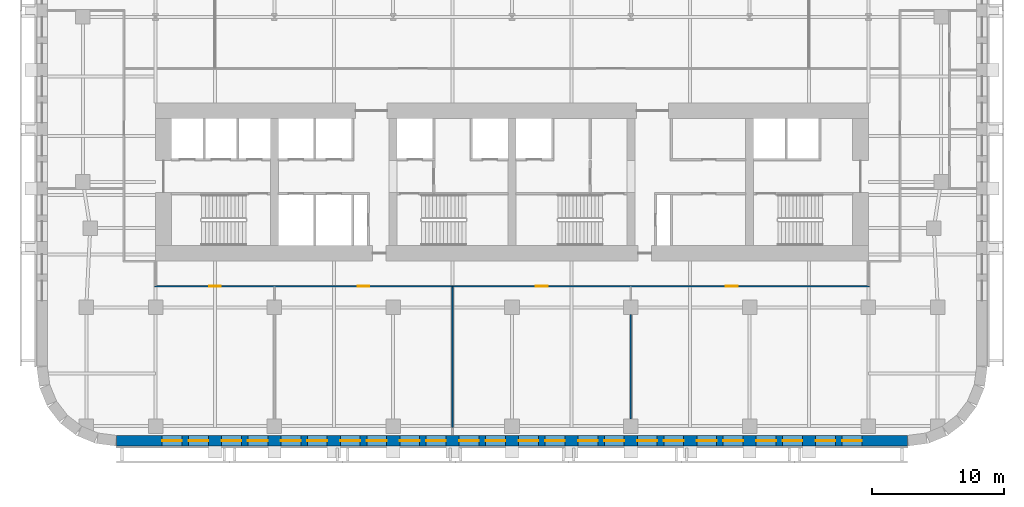
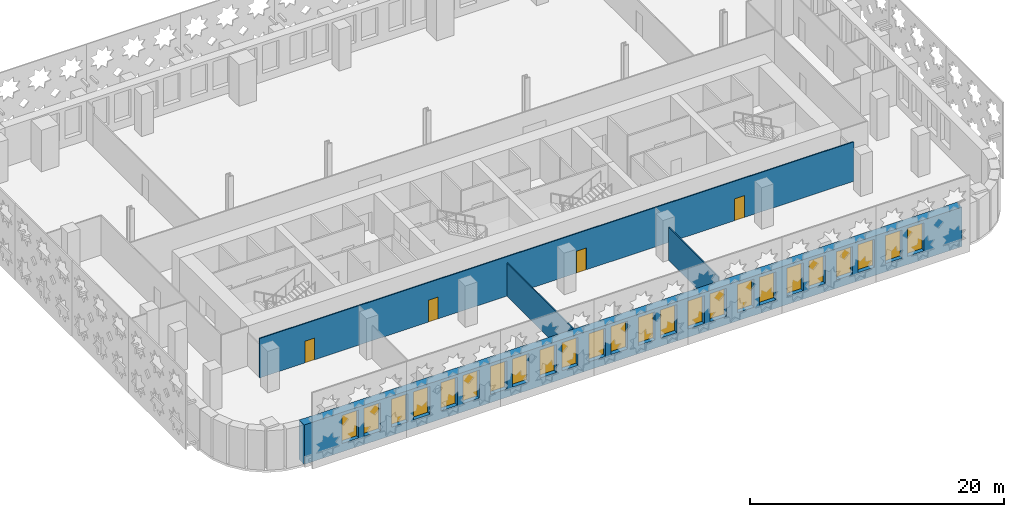
# One storey, part 4 of 13: 24 windows, 4 doors, 4 walls, 28 openings.
"""IFC4 building model written with IfcOpenShell, lengths in metres."""

from ifc_helpers import new_model, si_unit, direction, frame, frame_2d, origin, place, context, subcontext, project, spatial, rectangle, extrude, material, layer, layer_set, type_object, element, fill, save


model = new_model("IFC4")

# Units and contexts
model_context = context("Model", 3, precision=1e-05, world=origin(), true_north=direction((0.0, 1.0)))
body_context = subcontext(model_context, "Body", "Model", "MODEL_VIEW")
ifc_project = project(units=[si_unit("LENGTHUNIT", "METRE"), si_unit("AREAUNIT", "SQUARE_METRE"), si_unit("VOLUMEUNIT", "CUBIC_METRE"), si_unit("PLANEANGLEUNIT", "RADIAN"), si_unit("MASSUNIT", "GRAM", prefix="KILO")], contexts=[model_context])

# Site, building, storey
site_placement = place(None, origin())
site = spatial("IfcSite", under=ifc_project, at=site_placement, CompositionType="ELEMENT")
building_placement = place(site_placement, origin())
building = spatial("IfcBuilding", under=site, at=building_placement, Name="Zellij Exchange Tower", CompositionType="ELEMENT")
storey_placement = place(building_placement, frame((0.0, 0.0, 60.5)))
storey = spatial("IfcBuildingStorey", under=building, at=storey_placement, Name="L11", CompositionType="ELEMENT", Elevation=60.5)

# Wall, openings, windows
ifc_material_1 = material(Name="Precast concrete C40/50", Category="concrete")
ifc_layer_1 = layer(ifc_material_1, 0.800048828125)
ifc_layer_set_1 = layer_set([ifc_layer_1], Name="Precast concrete C40/50")
wall_type_1 = type_object("IfcWallType", Name="ENV-EW1 Precast stone-piered wall 800", PredefinedType="SOLIDWALL", material=ifc_layer_set_1)
wall_1_placement = place(storey_placement, frame((-29.947509765625, -27.60009765625, 0.0), z_axis=(0.0, 0.0, 1.0), x_axis=(1.0, 0.0, 0.0)))
wall_1 = element("IfcWall", 1, at=wall_1_placement, inside=storey, type_object=wall_type_1, Name="fac.L11.00", PredefinedType="SOLIDWALL", context=body_context, shape_type="SweptSolid", body=[
    extrude(rectangle(XDim=59.89501953125, YDim=0.800048828125, at=frame_2d((29.947509765625, 0.0))), origin(), (0.0, 0.0, 1.0), 3.800048828125),
])
opening_1_placement = place(wall_1_placement, frame((3.447509765625, 0.0, 0.800048828125)))
opening_1 = element("IfcOpeningElement", 2, at=opening_1_placement, cuts=wall_1, Name="Opening FZ1.01", PredefinedType="OPENING", context=body_context, shape_type="SweptSolid", body=[
    extrude(rectangle(XDim=1.5, YDim=2.699951171875, at=frame_2d((0.75, 1.35009765625))), frame((0.0, 0.412109375, 0.0), z_axis=(0.0, -1.0, 0.0), x_axis=(1.0, 0.0, 0.0)), (0.0, 0.0, 1.0), 0.823974609375),
])
opening_2_placement = place(wall_1_placement, frame((5.447509765625, 0.0, 0.800048828125)))
opening_2 = element("IfcOpeningElement", 3, at=opening_2_placement, cuts=wall_1, Name="Opening FZ1.02", PredefinedType="OPENING", context=body_context, shape_type="SweptSolid", body=[
    extrude(rectangle(XDim=1.5, YDim=2.699951171875, at=frame_2d((0.75, 1.35009765625))), frame((0.0, 0.412109375, 0.0), z_axis=(0.0, -1.0, 0.0), x_axis=(1.0, 0.0, 0.0)), (0.0, 0.0, 1.0), 0.823974609375),
])
opening_3_placement = place(wall_1_placement, frame((7.947509765625, 0.0, 0.800048828125)))
opening_3 = element("IfcOpeningElement", 4, at=opening_3_placement, cuts=wall_1, Name="Opening FZ1.03", PredefinedType="OPENING", context=body_context, shape_type="SweptSolid", body=[
    extrude(rectangle(XDim=1.5, YDim=2.699951171875, at=frame_2d((0.75, 1.35009765625))), frame((0.0, 0.412109375, 0.0), z_axis=(0.0, -1.0, 0.0), x_axis=(1.0, 0.0, 0.0)), (0.0, 0.0, 1.0), 0.823974609375),
])
opening_4_placement = place(wall_1_placement, frame((9.947509765625, 0.0, 0.800048828125)))
opening_4 = element("IfcOpeningElement", 5, at=opening_4_placement, cuts=wall_1, Name="Opening FZ1.04", PredefinedType="OPENING", context=body_context, shape_type="SweptSolid", body=[
    extrude(rectangle(XDim=1.5, YDim=2.699951171875, at=frame_2d((0.75, 1.35009765625))), frame((0.0, 0.412109375, 0.0), z_axis=(0.0, -1.0, 0.0), x_axis=(1.0, 0.0, 0.0)), (0.0, 0.0, 1.0), 0.823974609375),
])
opening_5_placement = place(wall_1_placement, frame((12.447509765625, 0.0, 0.800048828125)))
opening_5 = element("IfcOpeningElement", 6, at=opening_5_placement, cuts=wall_1, Name="Opening FZ1.05", PredefinedType="OPENING", context=body_context, shape_type="SweptSolid", body=[
    extrude(rectangle(XDim=1.5, YDim=2.699951171875, at=frame_2d((0.75, 1.35009765625))), frame((0.0, 0.412109375, 0.0), z_axis=(0.0, -1.0, 0.0), x_axis=(1.0, 0.0, 0.0)), (0.0, 0.0, 1.0), 0.823974609375),
])
opening_6_placement = place(wall_1_placement, frame((14.447509765625, 0.0, 0.800048828125)))
opening_6 = element("IfcOpeningElement", 7, at=opening_6_placement, cuts=wall_1, Name="Opening FZ1.06", PredefinedType="OPENING", context=body_context, shape_type="SweptSolid", body=[
    extrude(rectangle(XDim=1.5, YDim=2.699951171875, at=frame_2d((0.75, 1.35009765625))), frame((0.0, 0.412109375, 0.0), z_axis=(0.0, -1.0, 0.0), x_axis=(1.0, 0.0, 0.0)), (0.0, 0.0, 1.0), 0.823974609375),
])
opening_7_placement = place(wall_1_placement, frame((16.947509765625, 0.0, 0.800048828125)))
opening_7 = element("IfcOpeningElement", 8, at=opening_7_placement, cuts=wall_1, Name="Opening FZ1.07", PredefinedType="OPENING", context=body_context, shape_type="SweptSolid", body=[
    extrude(rectangle(XDim=1.5, YDim=2.699951171875, at=frame_2d((0.75, 1.35009765625))), frame((0.0, 0.412109375, 0.0), z_axis=(0.0, -1.0, 0.0), x_axis=(1.0, 0.0, 0.0)), (0.0, 0.0, 1.0), 0.823974609375),
])
opening_8_placement = place(wall_1_placement, frame((18.947509765625, 0.0, 0.800048828125)))
opening_8 = element("IfcOpeningElement", 9, at=opening_8_placement, cuts=wall_1, Name="Opening FZ1.08", PredefinedType="OPENING", context=body_context, shape_type="SweptSolid", body=[
    extrude(rectangle(XDim=1.5, YDim=2.699951171875, at=frame_2d((0.75, 1.35009765625))), frame((0.0, 0.412109375, 0.0), z_axis=(0.0, -1.0, 0.0), x_axis=(1.0, 0.0, 0.0)), (0.0, 0.0, 1.0), 0.823974609375),
])
opening_9_placement = place(wall_1_placement, frame((21.447509765625, 0.0, 0.800048828125)))
opening_9 = element("IfcOpeningElement", 10, at=opening_9_placement, cuts=wall_1, Name="Opening FZ1.09", PredefinedType="OPENING", context=body_context, shape_type="SweptSolid", body=[
    extrude(rectangle(XDim=1.5, YDim=2.699951171875, at=frame_2d((0.75, 1.35009765625))), frame((0.0, 0.412109375, 0.0), z_axis=(0.0, -1.0, 0.0), x_axis=(1.0, 0.0, 0.0)), (0.0, 0.0, 1.0), 0.823974609375),
])
opening_10_placement = place(wall_1_placement, frame((23.447509765625, 0.0, 0.800048828125)))
opening_10 = element("IfcOpeningElement", 11, at=opening_10_placement, cuts=wall_1, Name="Opening FZ1.10", PredefinedType="OPENING", context=body_context, shape_type="SweptSolid", body=[
    extrude(rectangle(XDim=1.5, YDim=2.699951171875, at=frame_2d((0.75, 1.35009765625))), frame((0.0, 0.412109375, 0.0), z_axis=(0.0, -1.0, 0.0), x_axis=(1.0, 0.0, 0.0)), (0.0, 0.0, 1.0), 0.823974609375),
])
opening_11_placement = place(wall_1_placement, frame((25.947509765625, 0.0, 0.800048828125)))
opening_11 = element("IfcOpeningElement", 12, at=opening_11_placement, cuts=wall_1, Name="Opening FZ1.11", PredefinedType="OPENING", context=body_context, shape_type="SweptSolid", body=[
    extrude(rectangle(XDim=1.5, YDim=2.699951171875, at=frame_2d((0.75, 1.35009765625))), frame((0.0, 0.412109375, 0.0), z_axis=(0.0, -1.0, 0.0), x_axis=(1.0, 0.0, 0.0)), (0.0, 0.0, 1.0), 0.823974609375),
])
opening_12_placement = place(wall_1_placement, frame((27.947509765625, 0.0, 0.800048828125)))
opening_12 = element("IfcOpeningElement", 13, at=opening_12_placement, cuts=wall_1, Name="Opening FZ1.12", PredefinedType="OPENING", context=body_context, shape_type="SweptSolid", body=[
    extrude(rectangle(XDim=1.5, YDim=2.699951171875, at=frame_2d((0.75, 1.35009765625))), frame((0.0, 0.412109375, 0.0), z_axis=(0.0, -1.0, 0.0), x_axis=(1.0, 0.0, 0.0)), (0.0, 0.0, 1.0), 0.823974609375),
])
opening_13_placement = place(wall_1_placement, frame((30.447509765625, 0.0, 0.800048828125)))
opening_13 = element("IfcOpeningElement", 14, at=opening_13_placement, cuts=wall_1, Name="Opening FZ1.13", PredefinedType="OPENING", context=body_context, shape_type="SweptSolid", body=[
    extrude(rectangle(XDim=1.5, YDim=2.699951171875, at=frame_2d((0.75, 1.35009765625))), frame((0.0, 0.412109375, 0.0), z_axis=(0.0, -1.0, 0.0), x_axis=(1.0, 0.0, 0.0)), (0.0, 0.0, 1.0), 0.823974609375),
])
opening_14_placement = place(wall_1_placement, frame((32.447509765625, 0.0, 0.800048828125)))
opening_14 = element("IfcOpeningElement", 15, at=opening_14_placement, cuts=wall_1, Name="Opening FZ1.14", PredefinedType="OPENING", context=body_context, shape_type="SweptSolid", body=[
    extrude(rectangle(XDim=1.5, YDim=2.699951171875, at=frame_2d((0.75, 1.35009765625))), frame((0.0, 0.412109375, 0.0), z_axis=(0.0, -1.0, 0.0), x_axis=(1.0, 0.0, 0.0)), (0.0, 0.0, 1.0), 0.823974609375),
])
opening_15_placement = place(wall_1_placement, frame((34.947509765625, 0.0, 0.800048828125)))
opening_15 = element("IfcOpeningElement", 16, at=opening_15_placement, cuts=wall_1, Name="Opening FZ1.15", PredefinedType="OPENING", context=body_context, shape_type="SweptSolid", body=[
    extrude(rectangle(XDim=1.5, YDim=2.699951171875, at=frame_2d((0.75, 1.35009765625))), frame((0.0, 0.412109375, 0.0), z_axis=(0.0, -1.0, 0.0), x_axis=(1.0, 0.0, 0.0)), (0.0, 0.0, 1.0), 0.823974609375),
])
opening_16_placement = place(wall_1_placement, frame((36.947509765625, 0.0, 0.800048828125)))
opening_16 = element("IfcOpeningElement", 17, at=opening_16_placement, cuts=wall_1, Name="Opening FZ1.16", PredefinedType="OPENING", context=body_context, shape_type="SweptSolid", body=[
    extrude(rectangle(XDim=1.5, YDim=2.699951171875, at=frame_2d((0.75, 1.35009765625))), frame((0.0, 0.412109375, 0.0), z_axis=(0.0, -1.0, 0.0), x_axis=(1.0, 0.0, 0.0)), (0.0, 0.0, 1.0), 0.823974609375),
])
opening_17_placement = place(wall_1_placement, frame((39.447509765625, 0.0, 0.800048828125)))
opening_17 = element("IfcOpeningElement", 18, at=opening_17_placement, cuts=wall_1, Name="Opening FZ1.17", PredefinedType="OPENING", context=body_context, shape_type="SweptSolid", body=[
    extrude(rectangle(XDim=1.5, YDim=2.699951171875, at=frame_2d((0.75, 1.35009765625))), frame((0.0, 0.412109375, 0.0), z_axis=(0.0, -1.0, 0.0), x_axis=(1.0, 0.0, 0.0)), (0.0, 0.0, 1.0), 0.823974609375),
])
opening_18_placement = place(wall_1_placement, frame((41.447509765625, 0.0, 0.800048828125)))
opening_18 = element("IfcOpeningElement", 19, at=opening_18_placement, cuts=wall_1, Name="Opening FZ1.18", PredefinedType="OPENING", context=body_context, shape_type="SweptSolid", body=[
    extrude(rectangle(XDim=1.5, YDim=2.699951171875, at=frame_2d((0.75, 1.35009765625))), frame((0.0, 0.412109375, 0.0), z_axis=(0.0, -1.0, 0.0), x_axis=(1.0, 0.0, 0.0)), (0.0, 0.0, 1.0), 0.823974609375),
])
opening_19_placement = place(wall_1_placement, frame((43.947509765625, 0.0, 0.800048828125)))
opening_19 = element("IfcOpeningElement", 20, at=opening_19_placement, cuts=wall_1, Name="Opening FZ1.19", PredefinedType="OPENING", context=body_context, shape_type="SweptSolid", body=[
    extrude(rectangle(XDim=1.5, YDim=2.699951171875, at=frame_2d((0.75, 1.35009765625))), frame((0.0, 0.412109375, 0.0), z_axis=(0.0, -1.0, 0.0), x_axis=(1.0, 0.0, 0.0)), (0.0, 0.0, 1.0), 0.823974609375),
])
opening_20_placement = place(wall_1_placement, frame((45.947509765625, 0.0, 0.800048828125)))
opening_20 = element("IfcOpeningElement", 21, at=opening_20_placement, cuts=wall_1, Name="Opening FZ1.20", PredefinedType="OPENING", context=body_context, shape_type="SweptSolid", body=[
    extrude(rectangle(XDim=1.5, YDim=2.699951171875, at=frame_2d((0.75, 1.35009765625))), frame((0.0, 0.412109375, 0.0), z_axis=(0.0, -1.0, 0.0), x_axis=(1.0, 0.0, 0.0)), (0.0, 0.0, 1.0), 0.823974609375),
])
opening_21_placement = place(wall_1_placement, frame((48.447509765625, 0.0, 0.800048828125)))
opening_21 = element("IfcOpeningElement", 22, at=opening_21_placement, cuts=wall_1, Name="Opening FZ1.21", PredefinedType="OPENING", context=body_context, shape_type="SweptSolid", body=[
    extrude(rectangle(XDim=1.5, YDim=2.699951171875, at=frame_2d((0.75, 1.35009765625))), frame((0.0, 0.412109375, 0.0), z_axis=(0.0, -1.0, 0.0), x_axis=(1.0, 0.0, 0.0)), (0.0, 0.0, 1.0), 0.823974609375),
])
opening_22_placement = place(wall_1_placement, frame((50.447509765625, 0.0, 0.800048828125)))
opening_22 = element("IfcOpeningElement", 23, at=opening_22_placement, cuts=wall_1, Name="Opening FZ1.22", PredefinedType="OPENING", context=body_context, shape_type="SweptSolid", body=[
    extrude(rectangle(XDim=1.5, YDim=2.699951171875, at=frame_2d((0.75, 1.35009765625))), frame((0.0, 0.412109375, 0.0), z_axis=(0.0, -1.0, 0.0), x_axis=(1.0, 0.0, 0.0)), (0.0, 0.0, 1.0), 0.823974609375),
])
opening_23_placement = place(wall_1_placement, frame((52.947509765625, 0.0, 0.800048828125)))
opening_23 = element("IfcOpeningElement", 24, at=opening_23_placement, cuts=wall_1, Name="Opening FZ1.23", PredefinedType="OPENING", context=body_context, shape_type="SweptSolid", body=[
    extrude(rectangle(XDim=1.5, YDim=2.699951171875, at=frame_2d((0.75, 1.35009765625))), frame((0.0, 0.412109375, 0.0), z_axis=(0.0, -1.0, 0.0), x_axis=(1.0, 0.0, 0.0)), (0.0, 0.0, 1.0), 0.823974609375),
])
opening_24_placement = place(wall_1_placement, frame((54.947509765625, 0.0, 0.800048828125)))
opening_24 = element("IfcOpeningElement", 25, at=opening_24_placement, cuts=wall_1, Name="Opening FZ1.24", PredefinedType="OPENING", context=body_context, shape_type="SweptSolid", body=[
    extrude(rectangle(XDim=1.5, YDim=2.699951171875, at=frame_2d((0.75, 1.35009765625))), frame((0.0, 0.412109375, 0.0), z_axis=(0.0, -1.0, 0.0), x_axis=(1.0, 0.0, 0.0)), (0.0, 0.0, 1.0), 0.823974609375),
])
ifc_material_2 = material(Name="Aluminium frame with insulating glass", Category="aluminium")
window_type = type_object("IfcWindowType", Name="ENV-W6 Window 1500x2700", PartitioningType="SINGLE_PANEL", PredefinedType="WINDOW", material=ifc_material_2)
window_1_placement = place(opening_1_placement, origin())
window_1 = element("IfcWindow", 26, at=window_1_placement, inside=storey, type_object=window_type, Name="Window FZ1.01", OverallHeight=2.699951171875, OverallWidth=1.5, PartitioningType="SINGLE_PANEL", PredefinedType="WINDOW", context=body_context, shape_type="SweptSolid", body=[
    extrude(rectangle(XDim=1.5, YDim=2.699951171875, at=frame_2d((0.75, 1.35009765625))), frame((0.0, 0.030029296875, 0.0), z_axis=(0.0, -1.0, 0.0), x_axis=(1.0, 0.0, 0.0)), (0.0, 0.0, 1.0), 0.06005859375),
])
fill(opening_1, window_1)
window_2_placement = place(opening_2_placement, origin())
window_2 = element("IfcWindow", 27, at=window_2_placement, inside=storey, type_object=window_type, Name="Window FZ1.02", OverallHeight=2.699951171875, OverallWidth=1.5, PartitioningType="SINGLE_PANEL", PredefinedType="WINDOW", context=body_context, shape_type="SweptSolid", body=[
    extrude(rectangle(XDim=1.5, YDim=2.699951171875, at=frame_2d((0.75, 1.35009765625))), frame((0.0, 0.030029296875, 0.0), z_axis=(0.0, -1.0, 0.0), x_axis=(1.0, 0.0, 0.0)), (0.0, 0.0, 1.0), 0.06005859375),
])
fill(opening_2, window_2)
window_3_placement = place(opening_3_placement, origin())
window_3 = element("IfcWindow", 28, at=window_3_placement, inside=storey, type_object=window_type, Name="Window FZ1.03", OverallHeight=2.699951171875, OverallWidth=1.5, PartitioningType="SINGLE_PANEL", PredefinedType="WINDOW", context=body_context, shape_type="SweptSolid", body=[
    extrude(rectangle(XDim=1.5, YDim=2.699951171875, at=frame_2d((0.75, 1.35009765625))), frame((0.0, 0.030029296875, 0.0), z_axis=(0.0, -1.0, 0.0), x_axis=(1.0, 0.0, 0.0)), (0.0, 0.0, 1.0), 0.06005859375),
])
fill(opening_3, window_3)
window_4_placement = place(opening_4_placement, origin())
window_4 = element("IfcWindow", 29, at=window_4_placement, inside=storey, type_object=window_type, Name="Window FZ1.04", OverallHeight=2.699951171875, OverallWidth=1.5, PartitioningType="SINGLE_PANEL", PredefinedType="WINDOW", context=body_context, shape_type="SweptSolid", body=[
    extrude(rectangle(XDim=1.5, YDim=2.699951171875, at=frame_2d((0.75, 1.35009765625))), frame((0.0, 0.030029296875, 0.0), z_axis=(0.0, -1.0, 0.0), x_axis=(1.0, 0.0, 0.0)), (0.0, 0.0, 1.0), 0.06005859375),
])
fill(opening_4, window_4)
window_5_placement = place(opening_5_placement, origin())
window_5 = element("IfcWindow", 30, at=window_5_placement, inside=storey, type_object=window_type, Name="Window FZ1.05", OverallHeight=2.699951171875, OverallWidth=1.5, PartitioningType="SINGLE_PANEL", PredefinedType="WINDOW", context=body_context, shape_type="SweptSolid", body=[
    extrude(rectangle(XDim=1.5, YDim=2.699951171875, at=frame_2d((0.75, 1.35009765625))), frame((0.0, 0.030029296875, 0.0), z_axis=(0.0, -1.0, 0.0), x_axis=(1.0, 0.0, 0.0)), (0.0, 0.0, 1.0), 0.06005859375),
])
fill(opening_5, window_5)
window_6_placement = place(opening_6_placement, origin())
window_6 = element("IfcWindow", 31, at=window_6_placement, inside=storey, type_object=window_type, Name="Window FZ1.06", OverallHeight=2.699951171875, OverallWidth=1.5, PartitioningType="SINGLE_PANEL", PredefinedType="WINDOW", context=body_context, shape_type="SweptSolid", body=[
    extrude(rectangle(XDim=1.5, YDim=2.699951171875, at=frame_2d((0.75, 1.35009765625))), frame((0.0, 0.030029296875, 0.0), z_axis=(0.0, -1.0, 0.0), x_axis=(1.0, 0.0, 0.0)), (0.0, 0.0, 1.0), 0.06005859375),
])
fill(opening_6, window_6)
window_7_placement = place(opening_7_placement, origin())
window_7 = element("IfcWindow", 32, at=window_7_placement, inside=storey, type_object=window_type, Name="Window FZ1.07", OverallHeight=2.699951171875, OverallWidth=1.5, PartitioningType="SINGLE_PANEL", PredefinedType="WINDOW", context=body_context, shape_type="SweptSolid", body=[
    extrude(rectangle(XDim=1.5, YDim=2.699951171875, at=frame_2d((0.75, 1.35009765625))), frame((0.0, 0.030029296875, 0.0), z_axis=(0.0, -1.0, 0.0), x_axis=(1.0, 0.0, 0.0)), (0.0, 0.0, 1.0), 0.06005859375),
])
fill(opening_7, window_7)
window_8_placement = place(opening_8_placement, origin())
window_8 = element("IfcWindow", 33, at=window_8_placement, inside=storey, type_object=window_type, Name="Window FZ1.08", OverallHeight=2.699951171875, OverallWidth=1.5, PartitioningType="SINGLE_PANEL", PredefinedType="WINDOW", context=body_context, shape_type="SweptSolid", body=[
    extrude(rectangle(XDim=1.5, YDim=2.699951171875, at=frame_2d((0.75, 1.35009765625))), frame((0.0, 0.030029296875, 0.0), z_axis=(0.0, -1.0, 0.0), x_axis=(1.0, 0.0, 0.0)), (0.0, 0.0, 1.0), 0.06005859375),
])
fill(opening_8, window_8)
window_9_placement = place(opening_9_placement, origin())
window_9 = element("IfcWindow", 34, at=window_9_placement, inside=storey, type_object=window_type, Name="Window FZ1.09", OverallHeight=2.699951171875, OverallWidth=1.5, PartitioningType="SINGLE_PANEL", PredefinedType="WINDOW", context=body_context, shape_type="SweptSolid", body=[
    extrude(rectangle(XDim=1.5, YDim=2.699951171875, at=frame_2d((0.75, 1.35009765625))), frame((0.0, 0.030029296875, 0.0), z_axis=(0.0, -1.0, 0.0), x_axis=(1.0, 0.0, 0.0)), (0.0, 0.0, 1.0), 0.06005859375),
])
fill(opening_9, window_9)
window_10_placement = place(opening_10_placement, origin())
window_10 = element("IfcWindow", 35, at=window_10_placement, inside=storey, type_object=window_type, Name="Window FZ1.10", OverallHeight=2.699951171875, OverallWidth=1.5, PartitioningType="SINGLE_PANEL", PredefinedType="WINDOW", context=body_context, shape_type="SweptSolid", body=[
    extrude(rectangle(XDim=1.5, YDim=2.699951171875, at=frame_2d((0.75, 1.35009765625))), frame((0.0, 0.030029296875, 0.0), z_axis=(0.0, -1.0, 0.0), x_axis=(1.0, 0.0, 0.0)), (0.0, 0.0, 1.0), 0.06005859375),
])
fill(opening_10, window_10)
window_11_placement = place(opening_11_placement, origin())
window_11 = element("IfcWindow", 36, at=window_11_placement, inside=storey, type_object=window_type, Name="Window FZ1.11", OverallHeight=2.699951171875, OverallWidth=1.5, PartitioningType="SINGLE_PANEL", PredefinedType="WINDOW", context=body_context, shape_type="SweptSolid", body=[
    extrude(rectangle(XDim=1.5, YDim=2.699951171875, at=frame_2d((0.75, 1.35009765625))), frame((0.0, 0.030029296875, 0.0), z_axis=(0.0, -1.0, 0.0), x_axis=(1.0, 0.0, 0.0)), (0.0, 0.0, 1.0), 0.06005859375),
])
fill(opening_11, window_11)
window_12_placement = place(opening_12_placement, origin())
window_12 = element("IfcWindow", 37, at=window_12_placement, inside=storey, type_object=window_type, Name="Window FZ1.12", OverallHeight=2.699951171875, OverallWidth=1.5, PartitioningType="SINGLE_PANEL", PredefinedType="WINDOW", context=body_context, shape_type="SweptSolid", body=[
    extrude(rectangle(XDim=1.5, YDim=2.699951171875, at=frame_2d((0.75, 1.35009765625))), frame((0.0, 0.030029296875, 0.0), z_axis=(0.0, -1.0, 0.0), x_axis=(1.0, 0.0, 0.0)), (0.0, 0.0, 1.0), 0.06005859375),
])
fill(opening_12, window_12)
window_13_placement = place(opening_13_placement, origin())
window_13 = element("IfcWindow", 38, at=window_13_placement, inside=storey, type_object=window_type, Name="Window FZ1.13", OverallHeight=2.699951171875, OverallWidth=1.5, PartitioningType="SINGLE_PANEL", PredefinedType="WINDOW", context=body_context, shape_type="SweptSolid", body=[
    extrude(rectangle(XDim=1.5, YDim=2.699951171875, at=frame_2d((0.75, 1.35009765625))), frame((0.0, 0.030029296875, 0.0), z_axis=(0.0, -1.0, 0.0), x_axis=(1.0, 0.0, 0.0)), (0.0, 0.0, 1.0), 0.06005859375),
])
fill(opening_13, window_13)
window_14_placement = place(opening_14_placement, origin())
window_14 = element("IfcWindow", 39, at=window_14_placement, inside=storey, type_object=window_type, Name="Window FZ1.14", OverallHeight=2.699951171875, OverallWidth=1.5, PartitioningType="SINGLE_PANEL", PredefinedType="WINDOW", context=body_context, shape_type="SweptSolid", body=[
    extrude(rectangle(XDim=1.5, YDim=2.699951171875, at=frame_2d((0.75, 1.35009765625))), frame((0.0, 0.030029296875, 0.0), z_axis=(0.0, -1.0, 0.0), x_axis=(1.0, 0.0, 0.0)), (0.0, 0.0, 1.0), 0.06005859375),
])
fill(opening_14, window_14)
window_15_placement = place(opening_15_placement, origin())
window_15 = element("IfcWindow", 40, at=window_15_placement, inside=storey, type_object=window_type, Name="Window FZ1.15", OverallHeight=2.699951171875, OverallWidth=1.5, PartitioningType="SINGLE_PANEL", PredefinedType="WINDOW", context=body_context, shape_type="SweptSolid", body=[
    extrude(rectangle(XDim=1.5, YDim=2.699951171875, at=frame_2d((0.75, 1.35009765625))), frame((0.0, 0.030029296875, 0.0), z_axis=(0.0, -1.0, 0.0), x_axis=(1.0, 0.0, 0.0)), (0.0, 0.0, 1.0), 0.06005859375),
])
fill(opening_15, window_15)
window_16_placement = place(opening_16_placement, origin())
window_16 = element("IfcWindow", 41, at=window_16_placement, inside=storey, type_object=window_type, Name="Window FZ1.16", OverallHeight=2.699951171875, OverallWidth=1.5, PartitioningType="SINGLE_PANEL", PredefinedType="WINDOW", context=body_context, shape_type="SweptSolid", body=[
    extrude(rectangle(XDim=1.5, YDim=2.699951171875, at=frame_2d((0.75, 1.35009765625))), frame((0.0, 0.030029296875, 0.0), z_axis=(0.0, -1.0, 0.0), x_axis=(1.0, 0.0, 0.0)), (0.0, 0.0, 1.0), 0.06005859375),
])
fill(opening_16, window_16)
window_17_placement = place(opening_17_placement, origin())
window_17 = element("IfcWindow", 42, at=window_17_placement, inside=storey, type_object=window_type, Name="Window FZ1.17", OverallHeight=2.699951171875, OverallWidth=1.5, PartitioningType="SINGLE_PANEL", PredefinedType="WINDOW", context=body_context, shape_type="SweptSolid", body=[
    extrude(rectangle(XDim=1.5, YDim=2.699951171875, at=frame_2d((0.75, 1.35009765625))), frame((0.0, 0.030029296875, 0.0), z_axis=(0.0, -1.0, 0.0), x_axis=(1.0, 0.0, 0.0)), (0.0, 0.0, 1.0), 0.06005859375),
])
fill(opening_17, window_17)
window_18_placement = place(opening_18_placement, origin())
window_18 = element("IfcWindow", 43, at=window_18_placement, inside=storey, type_object=window_type, Name="Window FZ1.18", OverallHeight=2.699951171875, OverallWidth=1.5, PartitioningType="SINGLE_PANEL", PredefinedType="WINDOW", context=body_context, shape_type="SweptSolid", body=[
    extrude(rectangle(XDim=1.5, YDim=2.699951171875, at=frame_2d((0.75, 1.35009765625))), frame((0.0, 0.030029296875, 0.0), z_axis=(0.0, -1.0, 0.0), x_axis=(1.0, 0.0, 0.0)), (0.0, 0.0, 1.0), 0.06005859375),
])
fill(opening_18, window_18)
window_19_placement = place(opening_19_placement, origin())
window_19 = element("IfcWindow", 44, at=window_19_placement, inside=storey, type_object=window_type, Name="Window FZ1.19", OverallHeight=2.699951171875, OverallWidth=1.5, PartitioningType="SINGLE_PANEL", PredefinedType="WINDOW", context=body_context, shape_type="SweptSolid", body=[
    extrude(rectangle(XDim=1.5, YDim=2.699951171875, at=frame_2d((0.75, 1.35009765625))), frame((0.0, 0.030029296875, 0.0), z_axis=(0.0, -1.0, 0.0), x_axis=(1.0, 0.0, 0.0)), (0.0, 0.0, 1.0), 0.06005859375),
])
fill(opening_19, window_19)
window_20_placement = place(opening_20_placement, origin())
window_20 = element("IfcWindow", 45, at=window_20_placement, inside=storey, type_object=window_type, Name="Window FZ1.20", OverallHeight=2.699951171875, OverallWidth=1.5, PartitioningType="SINGLE_PANEL", PredefinedType="WINDOW", context=body_context, shape_type="SweptSolid", body=[
    extrude(rectangle(XDim=1.5, YDim=2.699951171875, at=frame_2d((0.75, 1.35009765625))), frame((0.0, 0.030029296875, 0.0), z_axis=(0.0, -1.0, 0.0), x_axis=(1.0, 0.0, 0.0)), (0.0, 0.0, 1.0), 0.06005859375),
])
fill(opening_20, window_20)
window_21_placement = place(opening_21_placement, origin())
window_21 = element("IfcWindow", 46, at=window_21_placement, inside=storey, type_object=window_type, Name="Window FZ1.21", OverallHeight=2.699951171875, OverallWidth=1.5, PartitioningType="SINGLE_PANEL", PredefinedType="WINDOW", context=body_context, shape_type="SweptSolid", body=[
    extrude(rectangle(XDim=1.5, YDim=2.699951171875, at=frame_2d((0.75, 1.35009765625))), frame((0.0, 0.030029296875, 0.0), z_axis=(0.0, -1.0, 0.0), x_axis=(1.0, 0.0, 0.0)), (0.0, 0.0, 1.0), 0.06005859375),
])
fill(opening_21, window_21)
window_22_placement = place(opening_22_placement, origin())
window_22 = element("IfcWindow", 47, at=window_22_placement, inside=storey, type_object=window_type, Name="Window FZ1.22", OverallHeight=2.699951171875, OverallWidth=1.5, PartitioningType="SINGLE_PANEL", PredefinedType="WINDOW", context=body_context, shape_type="SweptSolid", body=[
    extrude(rectangle(XDim=1.5, YDim=2.699951171875, at=frame_2d((0.75, 1.35009765625))), frame((0.0, 0.030029296875, 0.0), z_axis=(0.0, -1.0, 0.0), x_axis=(1.0, 0.0, 0.0)), (0.0, 0.0, 1.0), 0.06005859375),
])
fill(opening_22, window_22)
window_23_placement = place(opening_23_placement, origin())
window_23 = element("IfcWindow", 48, at=window_23_placement, inside=storey, type_object=window_type, Name="Window FZ1.23", OverallHeight=2.699951171875, OverallWidth=1.5, PartitioningType="SINGLE_PANEL", PredefinedType="WINDOW", context=body_context, shape_type="SweptSolid", body=[
    extrude(rectangle(XDim=1.5, YDim=2.699951171875, at=frame_2d((0.75, 1.35009765625))), frame((0.0, 0.030029296875, 0.0), z_axis=(0.0, -1.0, 0.0), x_axis=(1.0, 0.0, 0.0)), (0.0, 0.0, 1.0), 0.06005859375),
])
fill(opening_23, window_23)
window_24_placement = place(opening_24_placement, origin())
window_24 = element("IfcWindow", 49, at=window_24_placement, inside=storey, type_object=window_type, Name="Window FZ1.24", OverallHeight=2.699951171875, OverallWidth=1.5, PartitioningType="SINGLE_PANEL", PredefinedType="WINDOW", context=body_context, shape_type="SweptSolid", body=[
    extrude(rectangle(XDim=1.5, YDim=2.699951171875, at=frame_2d((0.75, 1.35009765625))), frame((0.0, 0.030029296875, 0.0), z_axis=(0.0, -1.0, 0.0), x_axis=(1.0, 0.0, 0.0)), (0.0, 0.0, 1.0), 0.06005859375),
])
fill(opening_24, window_24)

# Walls
ifc_material_3 = material(Name="Gypsum board partition on steel studs", Category="steel")
ifc_layer_2 = layer(ifc_material_3, 0.10009765625)
ifc_layer_set_2 = layer_set([ifc_layer_2], Name="Gypsum board partition on steel studs")
wall_type_2 = type_object("IfcWallType", Name="FIT-PARTITION-100", PredefinedType="PARTITIONING", material=ifc_layer_set_2)
wall_2_placement = place(storey_placement, frame((-4.5, -26.614501953125, 0.0), z_axis=(0.0, 0.0, 1.0), x_axis=(0.0, 1.0, 0.0)))
element("IfcWall", 50, at=wall_2_placement, inside=storey, type_object=wall_type_2, Name="FIT-PARTITION-100 004", PredefinedType="PARTITIONING", context=body_context, shape_type="SweptSolid", body=[
    extrude(rectangle(XDim=10.66455078125, YDim=0.10009765625, at=frame_2d((5.332275390625, 0.0))), origin(), (0.0, 0.0, 1.0), 3.197998046875),
])
wall_3_placement = place(storey_placement, frame((9.0, -25.949951171875, 0.0), z_axis=(0.0, 0.0, 1.0), x_axis=(0.0, 1.0, 0.0)))
element("IfcWall", 51, at=wall_3_placement, inside=storey, type_object=wall_type_2, Name="FIT-PARTITION-100 005", PredefinedType="PARTITIONING", context=body_context, shape_type="SweptSolid", body=[
    extrude(rectangle(XDim=7.89990234375, YDim=0.10009765625, at=frame_2d((3.949951171875, 0.0))), origin(), (0.0, 0.0, 1.0), 3.18798828125),
])

# Wall, openings, doors
wall_4_placement = place(storey_placement, frame((-27.050048828125, -15.89990234375, 0.0), z_axis=(0.0, 0.0, 1.0), x_axis=(1.0, 0.0, 0.0)))
wall_4 = element("IfcWall", 52, at=wall_4_placement, inside=storey, type_object=wall_type_2, Name="FIT-PARTITION-100 007", PredefinedType="PARTITIONING", context=body_context, shape_type="SweptSolid", body=[
    extrude(rectangle(XDim=54.10009765625, YDim=0.10009765625, at=frame_2d((27.050048828125, 0.0))), origin(), (0.0, 0.0, 1.0), 3.800048828125),
])
opening_25_placement = place(wall_4_placement, frame((4.10009765625, 0.0, 0.0)))
opening_25 = element("IfcOpeningElement", 53, at=opening_25_placement, cuts=wall_4, Name="Opening TA.01", PredefinedType="OPENING", context=body_context, shape_type="SweptSolid", body=[
    extrude(rectangle(XDim=0.89990234375, YDim=2.10009765625, at=frame_2d((0.449951171875, 1.050048828125))), frame((0.0, 0.06201171875, 0.0), z_axis=(0.0, -1.0, 0.0), x_axis=(1.0, 0.0, 0.0)), (0.0, 0.0, 1.0), 0.1240234375),
])
opening_26_placement = place(wall_4_placement, frame((15.35009765625, 0.0, 0.0)))
opening_26 = element("IfcOpeningElement", 54, at=opening_26_placement, cuts=wall_4, Name="Opening TA.02", PredefinedType="OPENING", context=body_context, shape_type="SweptSolid", body=[
    extrude(rectangle(XDim=0.89990234375, YDim=2.10009765625, at=frame_2d((0.449951171875, 1.050048828125))), frame((0.0, 0.06201171875, 0.0), z_axis=(0.0, -1.0, 0.0), x_axis=(1.0, 0.0, 0.0)), (0.0, 0.0, 1.0), 0.1240234375),
])
opening_27_placement = place(wall_4_placement, frame((28.85009765625, 0.0, 0.0)))
opening_27 = element("IfcOpeningElement", 55, at=opening_27_placement, cuts=wall_4, Name="Opening TA.03", PredefinedType="OPENING", context=body_context, shape_type="SweptSolid", body=[
    extrude(rectangle(XDim=0.89990234375, YDim=2.10009765625, at=frame_2d((0.449951171875, 1.050048828125))), frame((0.0, 0.06201171875, 0.0), z_axis=(0.0, -1.0, 0.0), x_axis=(1.0, 0.0, 0.0)), (0.0, 0.0, 1.0), 0.1240234375),
])
opening_28_placement = place(wall_4_placement, frame((43.25, 0.0, 0.0)))
opening_28 = element("IfcOpeningElement", 56, at=opening_28_placement, cuts=wall_4, Name="Opening TA.04", PredefinedType="OPENING", context=body_context, shape_type="SweptSolid", body=[
    extrude(rectangle(XDim=0.89990234375, YDim=2.10009765625, at=frame_2d((0.449951171875, 1.050048828125))), frame((0.0, 0.06201171875, 0.0), z_axis=(0.0, -1.0, 0.0), x_axis=(1.0, 0.0, 0.0)), (0.0, 0.0, 1.0), 0.1240234375),
])
ifc_material_4 = material(Name="Timber door set", Category="wood")
door_type = type_object("IfcDoorType", Name="FIT-D1-ROOM-900X2100", OperationType="SINGLE_SWING_LEFT", PredefinedType="DOOR", material=ifc_material_4)
door_1_placement = place(opening_25_placement, origin())
door_1 = element("IfcDoor", 57, at=door_1_placement, inside=storey, type_object=door_type, Name="Door TA.01", OperationType="SINGLE_SWING_LEFT", OverallHeight=2.10009765625, OverallWidth=0.89990234375, PredefinedType="DOOR", context=body_context, shape_type="SweptSolid", body=[
    extrude(rectangle(XDim=0.89990234375, YDim=2.10009765625, at=frame_2d((0.449951171875, 1.050048828125))), frame((0.0, 0.02490234375, 0.0), z_axis=(0.0, -1.0, 0.0), x_axis=(1.0, 0.0, 0.0)), (0.0, 0.0, 1.0), 0.050048828125),
])
fill(opening_25, door_1)
door_2_placement = place(opening_26_placement, origin())
door_2 = element("IfcDoor", 58, at=door_2_placement, inside=storey, type_object=door_type, Name="Door TA.02", OperationType="SINGLE_SWING_LEFT", OverallHeight=2.10009765625, OverallWidth=0.89990234375, PredefinedType="DOOR", context=body_context, shape_type="SweptSolid", body=[
    extrude(rectangle(XDim=0.89990234375, YDim=2.10009765625, at=frame_2d((0.449951171875, 1.050048828125))), frame((0.0, 0.02490234375, 0.0), z_axis=(0.0, -1.0, 0.0), x_axis=(1.0, 0.0, 0.0)), (0.0, 0.0, 1.0), 0.050048828125),
])
fill(opening_26, door_2)
door_3_placement = place(opening_27_placement, origin())
door_3 = element("IfcDoor", 59, at=door_3_placement, inside=storey, type_object=door_type, Name="Door TA.03", OperationType="SINGLE_SWING_LEFT", OverallHeight=2.10009765625, OverallWidth=0.89990234375, PredefinedType="DOOR", context=body_context, shape_type="SweptSolid", body=[
    extrude(rectangle(XDim=0.89990234375, YDim=2.10009765625, at=frame_2d((0.449951171875, 1.050048828125))), frame((0.0, 0.02490234375, 0.0), z_axis=(0.0, -1.0, 0.0), x_axis=(1.0, 0.0, 0.0)), (0.0, 0.0, 1.0), 0.050048828125),
])
fill(opening_27, door_3)
door_4_placement = place(opening_28_placement, origin())
door_4 = element("IfcDoor", 60, at=door_4_placement, inside=storey, type_object=door_type, Name="Door TA.04", OperationType="SINGLE_SWING_LEFT", OverallHeight=2.10009765625, OverallWidth=0.89990234375, PredefinedType="DOOR", context=body_context, shape_type="SweptSolid", body=[
    extrude(rectangle(XDim=0.89990234375, YDim=2.10009765625, at=frame_2d((0.449951171875, 1.050048828125))), frame((0.0, 0.02490234375, 0.0), z_axis=(0.0, -1.0, 0.0), x_axis=(1.0, 0.0, 0.0)), (0.0, 0.0, 1.0), 0.050048828125),
])
fill(opening_28, door_4)

save(model, "model.ifc")
